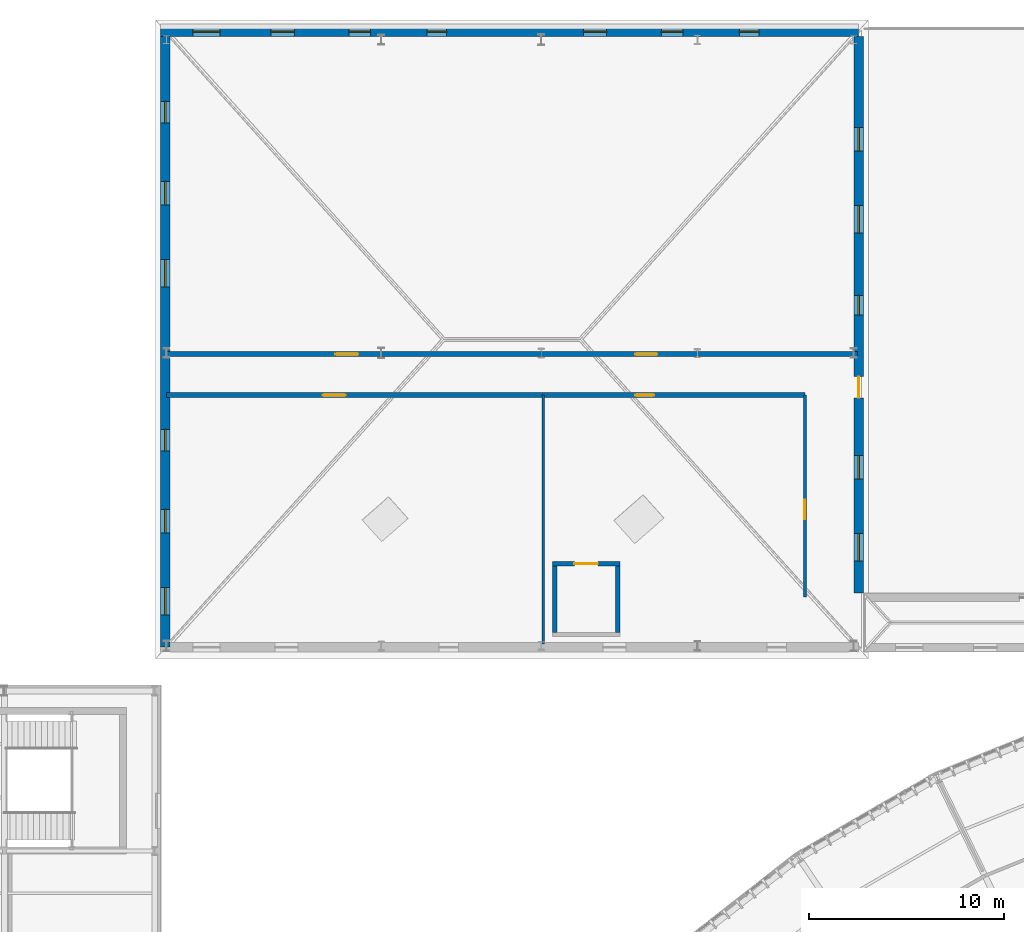
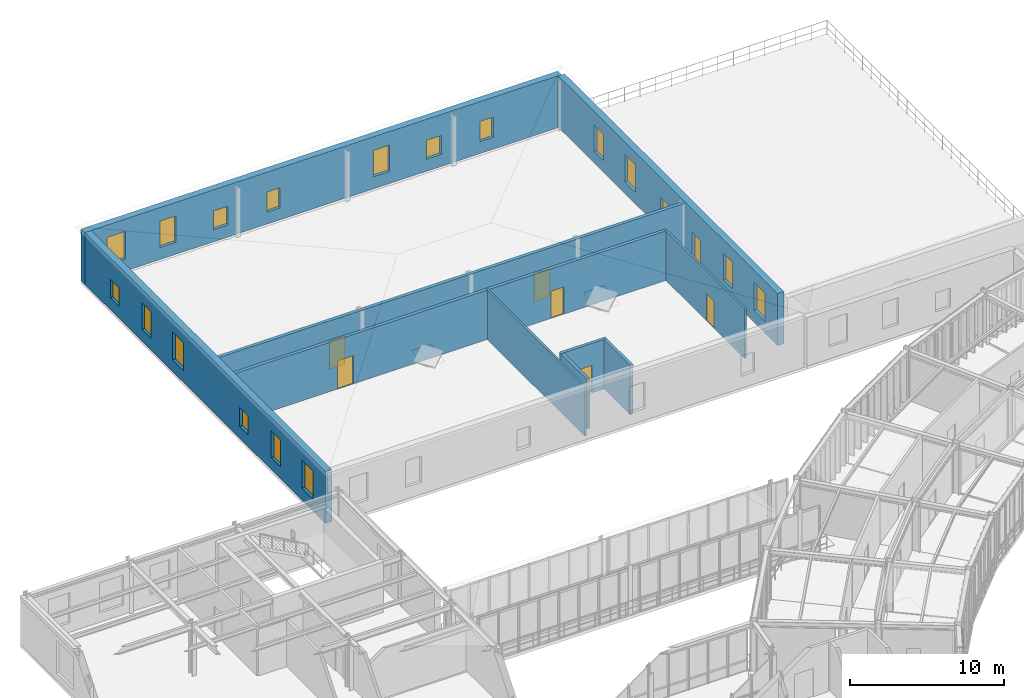
# One storey, part 44 of 57: 18 windows, 10 walls, 7 doors, 25 openings.
"""IFC4 building model written with IfcOpenShell, lengths in metres."""

from ifc_helpers import new_model, si_unit, direction, frame, frame_2d, origin, place, context, subcontext, project, spatial, rectangle, extrude, material, layer, layer_set, type_object, element, fill, save


model = new_model("IFC4")

# Units and contexts
model_context = context("Model", 3, precision=1e-05, world=origin(), true_north=direction((0.0, 1.0)))
body_context = subcontext(model_context, "Body", "Model", "MODEL_VIEW")
ifc_project = project(units=[si_unit("LENGTHUNIT", "METRE"), si_unit("AREAUNIT", "SQUARE_METRE"), si_unit("VOLUMEUNIT", "CUBIC_METRE"), si_unit("PLANEANGLEUNIT", "RADIAN"), si_unit("MASSUNIT", "GRAM", prefix="KILO"), si_unit("THERMODYNAMICTEMPERATUREUNIT", "KELVIN"), si_unit("POWERUNIT", "WATT")], contexts=[model_context])

# Site, building, storey
site_placement = place(None, origin())
site = spatial("IfcSite", under=ifc_project, at=site_placement, CompositionType="ELEMENT")
building_placement = place(site_placement, origin())
building = spatial("IfcBuilding", under=site, at=building_placement, Name="Solvatero Civic Police Headquarters", CompositionType="ELEMENT")
storey_placement = place(building_placement, frame((0.0, 0.0, 9.300048828125)))
storey = spatial("IfcBuildingStorey", under=building, at=storey_placement, Name="L02", CompositionType="ELEMENT", Elevation=9.300048828125)

# Wall, openings, doors
ifc_material_1 = material(Name="Reinforced Masonry", Category="masonry")
ifc_layer_1 = layer(ifc_material_1, 0.239990234375)
ifc_layer_set_1 = layer_set([ifc_layer_1], Name="Reinforced Masonry")
wall_type_1 = type_object("IfcWallType", Name="WL-CELL-240", PredefinedType="PARTITIONING", material=ifc_layer_set_1)
wall_1_placement = place(storey_placement, frame((28.800048828125, 98.35009765625, 0.0), z_axis=(0.0, 0.0, 1.0), x_axis=(1.0, 0.0, 0.0)))
wall_1 = element("IfcWall", 1, at=wall_1_placement, inside=storey, type_object=wall_type_1, Name="Interior Partition WLP-L02-V7-CS", PredefinedType="PARTITIONING", context=body_context, shape_type="SweptSolid", body=[
    extrude(rectangle(XDim=32.699951171875, YDim=0.239990234375, at=frame_2d((16.35009765625, 0.0))), origin(), (0.0, 0.0, 1.0), 3.919921875),
])
opening_1_placement = place(wall_1_placement, frame((8.0, 0.0, 0.0)))
opening_1 = element("IfcOpeningElement", 2, at=opening_1_placement, cuts=wall_1, Name="Opening ID-11", PredefinedType="OPENING", context=body_context, shape_type="SweptSolid", body=[
    extrude(rectangle(XDim=1.179931640625, YDim=2.239990234375, at=frame_2d((0.58984375, 1.1201171875))), frame((0.0, 0.1298828125, 0.0), z_axis=(0.0, -1.0, 0.0), x_axis=(1.0, 0.0, 0.0)), (0.0, 0.0, 1.0), 0.260009765625),
])
opening_2_placement = place(wall_1_placement, frame((24.0, 0.0, 0.0)))
opening_2 = element("IfcOpeningElement", 3, at=opening_2_placement, cuts=wall_1, Name="Opening ID-05", PredefinedType="OPENING", context=body_context, shape_type="SweptSolid", body=[
    extrude(rectangle(XDim=0.97998046875, YDim=2.159912109375, at=frame_2d((0.489990234375, 1.080078125))), frame((0.0, 0.1298828125, 0.0), z_axis=(0.0, -1.0, 0.0), x_axis=(1.0, 0.0, 0.0)), (0.0, 0.0, 1.0), 0.260009765625),
])
ifc_material_2 = material(Name="Powder-Coated Steel", Category="steel")
door_type_1 = type_object("IfcDoorType", Name="DR-COR-118x224", OperationType="NOTDEFINED", PredefinedType="DOOR", material=ifc_material_2)
door_1_placement = place(opening_1_placement, origin())
door_1 = element("IfcDoor", 4, at=door_1_placement, inside=storey, type_object=door_type_1, Name="Interior Door DR-L02-V7-1", OperationType="SINGLE_SWING_RIGHT", OverallHeight=2.239990234375, OverallWidth=1.179931640625, PredefinedType="DOOR", context=body_context, shape_type="SweptSolid", body=[
    extrude(rectangle(XDim=1.179931640625, YDim=2.239990234375, at=frame_2d((0.58984375, 1.1201171875))), frame((0.0, 0.02490234375, 0.0), z_axis=(0.0, -1.0, 0.0), x_axis=(1.0, 0.0, 0.0)), (0.0, 0.0, 1.0), 0.050048828125),
])
fill(opening_1, door_1)
door_type_2 = type_object("IfcDoorType", Name="DR-OFF-098x216", OperationType="NOTDEFINED", PredefinedType="DOOR", material=ifc_material_2)
door_2_placement = place(opening_2_placement, origin())
door_2 = element("IfcDoor", 5, at=door_2_placement, inside=storey, type_object=door_type_2, Name="Interior Door DR-L02-V7-2", OperationType="SINGLE_SWING_LEFT", OverallHeight=2.159912109375, OverallWidth=0.97998046875, PredefinedType="DOOR", context=body_context, shape_type="SweptSolid", body=[
    extrude(rectangle(XDim=0.97998046875, YDim=2.159912109375, at=frame_2d((0.489990234375, 1.080078125))), frame((0.0, 0.02490234375, 0.0), z_axis=(0.0, -1.0, 0.0), x_axis=(1.0, 0.0, 0.0)), (0.0, 0.0, 1.0), 0.050048828125),
])
fill(opening_2, door_2)

wall_2_placement = place(storey_placement, frame((28.800048828125, 100.449951171875, 0.0), z_axis=(0.0, 0.0, 1.0), x_axis=(1.0, 0.0, 0.0)))
wall_2 = element("IfcWall", 6, at=wall_2_placement, inside=storey, type_object=wall_type_1, Name="Interior Partition WLP-L02-V7-COR", PredefinedType="PARTITIONING", context=body_context, shape_type="SweptSolid", body=[
    extrude(rectangle(XDim=35.39990234375, YDim=0.239990234375, at=frame_2d((17.699951171875, 0.0))), origin(), (0.0, 0.0, 1.0), 3.919921875),
])
opening_3_placement = place(wall_2_placement, frame((8.64990234375, 0.0, 0.0)))
opening_3 = element("IfcOpeningElement", 7, at=opening_3_placement, cuts=wall_2, Name="Opening ID-11", PredefinedType="OPENING", context=body_context, shape_type="SweptSolid", body=[
    extrude(rectangle(XDim=1.179931640625, YDim=2.239990234375, at=frame_2d((0.58984375, 1.1201171875))), frame((0.0, 0.1298828125, 0.0), z_axis=(0.0, -1.0, 0.0), x_axis=(1.0, 0.0, 0.0)), (0.0, 0.0, 1.0), 0.260009765625),
])
opening_4_placement = place(wall_2_placement, frame((24.0, 0.0, 0.0)))
opening_4 = element("IfcOpeningElement", 8, at=opening_4_placement, cuts=wall_2, Name="Opening ID-10", PredefinedType="OPENING", context=body_context, shape_type="SweptSolid", body=[
    extrude(rectangle(XDim=1.14990234375, YDim=2.199951171875, at=frame_2d((0.574951171875, 1.10009765625))), frame((0.0, 0.1298828125, 0.0), z_axis=(0.0, -1.0, 0.0), x_axis=(1.0, 0.0, 0.0)), (0.0, 0.0, 1.0), 0.260009765625),
])
door_type_3 = type_object("IfcDoorType", Name="DR-COR-115x220", OperationType="NOTDEFINED", PredefinedType="DOOR", material=ifc_material_2)
door_3_placement = place(opening_4_placement, origin())
door_3 = element("IfcDoor", 9, at=door_3_placement, inside=storey, type_object=door_type_3, Name="Interior Door DR-L02-V7-4", OperationType="SINGLE_SWING_LEFT", OverallHeight=2.199951171875, OverallWidth=1.14990234375, PredefinedType="DOOR", context=body_context, shape_type="SweptSolid", body=[
    extrude(rectangle(XDim=1.14990234375, YDim=2.199951171875, at=frame_2d((0.574951171875, 1.10009765625))), frame((0.0, 0.02490234375, 0.0), z_axis=(0.0, -1.0, 0.0), x_axis=(1.0, 0.0, 0.0)), (0.0, 0.0, 1.0), 0.050048828125),
])
fill(opening_4, door_3)
door_4_placement = place(opening_3_placement, origin())
door_4 = element("IfcDoor", 10, at=door_4_placement, inside=storey, type_object=door_type_1, Name="Interior Door DR-L02-V7-3", OperationType="SINGLE_SWING_RIGHT", OverallHeight=2.239990234375, OverallWidth=1.179931640625, PredefinedType="DOOR", context=body_context, shape_type="SweptSolid", body=[
    extrude(rectangle(XDim=1.179931640625, YDim=2.239990234375, at=frame_2d((0.58984375, 1.1201171875))), frame((0.0, 0.02490234375, 0.0), z_axis=(0.0, -1.0, 0.0), x_axis=(1.0, 0.0, 0.0)), (0.0, 0.0, 1.0), 0.050048828125),
])
fill(opening_3, door_4)

# Wall, openings, windows
ifc_layer_2 = layer(ifc_material_1, 0.47998046875)
ifc_layer_set_2 = layer_set([ifc_layer_2], Name="Reinforced Masonry")
wall_type_2 = type_object("IfcWallType", Name="WL-EXT-CUST-480", PredefinedType="SOLIDWALL", material=ifc_layer_set_2)
wall_3_placement = place(storey_placement, frame((28.5, 116.949951171875, 0.0), z_axis=(0.0, 0.0, 1.0), x_axis=(1.0, 0.0, 0.0)))
wall_3 = element("IfcWall", 11, at=wall_3_placement, inside=storey, type_object=wall_type_2, Name="Exterior Wall WLE-L02-V7-N", PredefinedType="SOLIDWALL", context=body_context, shape_type="SweptSolid", body=[
    extrude(rectangle(XDim=35.760009765625, YDim=0.47998046875, at=frame_2d((17.8798828125, 0.0))), origin(), (0.0, 0.0, 1.0), 4.119873046875),
])
opening_5_placement = place(wall_3_placement, frame((1.64990234375, 0.0, 0.949951171875)))
opening_5 = element("IfcOpeningElement", 12, at=opening_5_placement, cuts=wall_3, Name="Opening W-02", PredefinedType="OPENING", context=body_context, shape_type="SweptSolid", body=[
    extrude(rectangle(XDim=1.39990234375, YDim=2.199951171875, at=frame_2d((0.699951171875, 1.10009765625))), frame((0.0, 0.25, 0.0), z_axis=(0.0, -1.0, 0.0), x_axis=(1.0, 0.0, 0.0)), (0.0, 0.0, 1.0), 0.5),
])
opening_6_placement = place(wall_3_placement, frame((5.64990234375, 0.0, 0.949951171875)))
opening_6 = element("IfcOpeningElement", 13, at=opening_6_placement, cuts=wall_3, Name="Opening W-01", PredefinedType="OPENING", context=body_context, shape_type="SweptSolid", body=[
    extrude(rectangle(XDim=1.199951171875, YDim=2.10009765625, at=frame_2d((0.60009765625, 1.050048828125))), frame((0.0, 0.25, 0.0), z_axis=(0.0, -1.0, 0.0), x_axis=(1.0, 0.0, 0.0)), (0.0, 0.0, 1.0), 0.5),
])
opening_7_placement = place(wall_3_placement, frame((9.64990234375, 0.0, 0.949951171875)))
opening_7 = element("IfcOpeningElement", 14, at=opening_7_placement, cuts=wall_3, Name="Opening W-11", PredefinedType="OPENING", context=body_context, shape_type="SweptSolid", body=[
    extrude(rectangle(XDim=1.10009765625, YDim=1.5, at=frame_2d((0.550048828125, 0.75))), frame((0.0, 0.25, 0.0), z_axis=(0.0, -1.0, 0.0), x_axis=(1.0, 0.0, 0.0)), (0.0, 0.0, 1.0), 0.5),
])
opening_8_placement = place(wall_3_placement, frame((13.64990234375, 0.0, 0.949951171875)))
opening_8 = element("IfcOpeningElement", 15, at=opening_8_placement, cuts=wall_3, Name="Opening W-09", PredefinedType="OPENING", context=body_context, shape_type="SweptSolid", body=[
    extrude(rectangle(XDim=1.0, YDim=1.60009765625, at=frame_2d((0.5, 0.800048828125))), frame((0.0, 0.25, 0.0), z_axis=(0.0, -1.0, 0.0), x_axis=(1.0, 0.0, 0.0)), (0.0, 0.0, 1.0), 0.5),
])
opening_9_placement = place(wall_3_placement, frame((21.64990234375, 0.0, 0.949951171875)))
opening_9 = element("IfcOpeningElement", 16, at=opening_9_placement, cuts=wall_3, Name="Opening W-01", PredefinedType="OPENING", context=body_context, shape_type="SweptSolid", body=[
    extrude(rectangle(XDim=1.199951171875, YDim=2.10009765625, at=frame_2d((0.60009765625, 1.050048828125))), frame((0.0, 0.25, 0.0), z_axis=(0.0, -1.0, 0.0), x_axis=(1.0, 0.0, 0.0)), (0.0, 0.0, 1.0), 0.5),
])
opening_10_placement = place(wall_3_placement, frame((25.64990234375, 0.0, 0.949951171875)))
opening_10 = element("IfcOpeningElement", 17, at=opening_10_placement, cuts=wall_3, Name="Opening W-11", PredefinedType="OPENING", context=body_context, shape_type="SweptSolid", body=[
    extrude(rectangle(XDim=1.10009765625, YDim=1.5, at=frame_2d((0.550048828125, 0.75))), frame((0.0, 0.25, 0.0), z_axis=(0.0, -1.0, 0.0), x_axis=(1.0, 0.0, 0.0)), (0.0, 0.0, 1.0), 0.5),
])
opening_11_placement = place(wall_3_placement, frame((29.64990234375, 0.0, 0.949951171875)))
opening_11 = element("IfcOpeningElement", 18, at=opening_11_placement, cuts=wall_3, Name="Opening W-09", PredefinedType="OPENING", context=body_context, shape_type="SweptSolid", body=[
    extrude(rectangle(XDim=1.0, YDim=1.60009765625, at=frame_2d((0.5, 0.800048828125))), frame((0.0, 0.25, 0.0), z_axis=(0.0, -1.0, 0.0), x_axis=(1.0, 0.0, 0.0)), (0.0, 0.0, 1.0), 0.5),
])
ifc_material_3 = material(Name="Anodized Bronze Aluminium", Category="aluminium")
window_type_1 = type_object("IfcWindowType", Name="WN-CL-100x160", PartitioningType="SINGLE_PANEL", PredefinedType="WINDOW", material=ifc_material_3)
window_1_placement = place(opening_8_placement, origin())
window_1 = element("IfcWindow", 19, at=window_1_placement, inside=storey, type_object=window_type_1, Name="Exterior Window 0217", OverallHeight=1.60009765625, OverallWidth=1.0, PartitioningType="SINGLE_PANEL", PredefinedType="WINDOW", context=body_context, shape_type="SweptSolid", body=[
    extrude(rectangle(XDim=1.0, YDim=1.60009765625, at=frame_2d((0.5, 0.800048828125))), frame((0.0, 0.030029296875, 0.0), z_axis=(0.0, -1.0, 0.0), x_axis=(1.0, 0.0, 0.0)), (0.0, 0.0, 1.0), 0.06005859375),
])
fill(opening_8, window_1)
window_2_placement = place(opening_11_placement, origin())
window_2 = element("IfcWindow", 20, at=window_2_placement, inside=storey, type_object=window_type_1, Name="Exterior Window 0220", OverallHeight=1.60009765625, OverallWidth=1.0, PartitioningType="SINGLE_PANEL", PredefinedType="WINDOW", context=body_context, shape_type="SweptSolid", body=[
    extrude(rectangle(XDim=1.0, YDim=1.60009765625, at=frame_2d((0.5, 0.800048828125))), frame((0.0, 0.030029296875, 0.0), z_axis=(0.0, -1.0, 0.0), x_axis=(1.0, 0.0, 0.0)), (0.0, 0.0, 1.0), 0.06005859375),
])
fill(opening_11, window_2)
ifc_material_4 = material(Name="Ballistic Steel Frame Glass", Category="steel")
window_type_2 = type_object("IfcWindowType", Name="WN-CL-110x150", PartitioningType="SINGLE_PANEL", PredefinedType="WINDOW", material=ifc_material_4)
window_3_placement = place(opening_7_placement, origin())
window_3 = element("IfcWindow", 21, at=window_3_placement, inside=storey, type_object=window_type_2, Name="Exterior Window 0216", OverallHeight=1.5, OverallWidth=1.10009765625, PartitioningType="SINGLE_PANEL", PredefinedType="WINDOW", context=body_context, shape_type="SweptSolid", body=[
    extrude(rectangle(XDim=1.10009765625, YDim=1.5, at=frame_2d((0.550048828125, 0.75))), frame((0.0, 0.030029296875, 0.0), z_axis=(0.0, -1.0, 0.0), x_axis=(1.0, 0.0, 0.0)), (0.0, 0.0, 1.0), 0.06005859375),
])
fill(opening_7, window_3)
window_4_placement = place(opening_10_placement, origin())
window_4 = element("IfcWindow", 22, at=window_4_placement, inside=storey, type_object=window_type_2, Name="Exterior Window 0219", OverallHeight=1.5, OverallWidth=1.10009765625, PartitioningType="SINGLE_PANEL", PredefinedType="WINDOW", context=body_context, shape_type="SweptSolid", body=[
    extrude(rectangle(XDim=1.10009765625, YDim=1.5, at=frame_2d((0.550048828125, 0.75))), frame((0.0, 0.030029296875, 0.0), z_axis=(0.0, -1.0, 0.0), x_axis=(1.0, 0.0, 0.0)), (0.0, 0.0, 1.0), 0.06005859375),
])
fill(opening_10, window_4)
window_type_3 = type_object("IfcWindowType", Name="WN-CL-120x210", PartitioningType="SINGLE_PANEL", PredefinedType="WINDOW", material=ifc_material_3)
window_5_placement = place(opening_6_placement, origin())
window_5 = element("IfcWindow", 23, at=window_5_placement, inside=storey, type_object=window_type_3, Name="Exterior Window 0215", OverallHeight=2.10009765625, OverallWidth=1.199951171875, PartitioningType="SINGLE_PANEL", PredefinedType="WINDOW", context=body_context, shape_type="SweptSolid", body=[
    extrude(rectangle(XDim=1.199951171875, YDim=2.10009765625, at=frame_2d((0.60009765625, 1.050048828125))), frame((0.0, 0.030029296875, 0.0), z_axis=(0.0, -1.0, 0.0), x_axis=(1.0, 0.0, 0.0)), (0.0, 0.0, 1.0), 0.06005859375),
])
fill(opening_6, window_5)
window_6_placement = place(opening_9_placement, origin())
window_6 = element("IfcWindow", 24, at=window_6_placement, inside=storey, type_object=window_type_3, Name="Exterior Window 0218", OverallHeight=2.10009765625, OverallWidth=1.199951171875, PartitioningType="SINGLE_PANEL", PredefinedType="WINDOW", context=body_context, shape_type="SweptSolid", body=[
    extrude(rectangle(XDim=1.199951171875, YDim=2.10009765625, at=frame_2d((0.60009765625, 1.050048828125))), frame((0.0, 0.030029296875, 0.0), z_axis=(0.0, -1.0, 0.0), x_axis=(1.0, 0.0, 0.0)), (0.0, 0.0, 1.0), 0.06005859375),
])
fill(opening_9, window_6)
window_type_4 = type_object("IfcWindowType", Name="WN-CL-140x220", PartitioningType="SINGLE_PANEL", PredefinedType="WINDOW", material=ifc_material_3)
window_7_placement = place(opening_5_placement, origin())
window_7 = element("IfcWindow", 25, at=window_7_placement, inside=storey, type_object=window_type_4, Name="Exterior Window 0214", OverallHeight=2.199951171875, OverallWidth=1.39990234375, PartitioningType="SINGLE_PANEL", PredefinedType="WINDOW", context=body_context, shape_type="SweptSolid", body=[
    extrude(rectangle(XDim=1.39990234375, YDim=2.199951171875, at=frame_2d((0.699951171875, 1.10009765625))), frame((0.0, 0.030029296875, 0.0), z_axis=(0.0, -1.0, 0.0), x_axis=(1.0, 0.0, 0.0)), (0.0, 0.0, 1.0), 0.06005859375),
])
fill(opening_5, window_7)

# Wall, openings, door, windows
wall_4_placement = place(storey_placement, frame((64.260009765625, 88.199951171875, 0.0), z_axis=(0.0, 0.0, 1.0), x_axis=(0.0, 1.0, 0.0)))
wall_4 = element("IfcWall", 26, at=wall_4_placement, inside=storey, type_object=wall_type_2, Name="Exterior Wall WLE-L02-V7-E", PredefinedType="SOLIDWALL", context=body_context, shape_type="SweptSolid", body=[
    extrude(rectangle(XDim=28.510009765625, YDim=0.47998046875, at=frame_2d((14.2548828125, 0.0))), origin(), (0.0, 0.0, 1.0), 4.119873046875),
])
opening_12_placement = place(wall_4_placement, frame((11.10009765625, 0.0, 0.0), z_axis=(0.0, 0.0, 1.0), x_axis=(-1.0, 0.0, 0.0)))
opening_12 = element("IfcOpeningElement", 27, at=opening_12_placement, cuts=wall_4, Name="Opening ED-02", PredefinedType="OPENING", context=body_context, shape_type="SweptSolid", body=[
    extrude(rectangle(XDim=1.10009765625, YDim=2.25, at=frame_2d((0.550048828125, 1.125))), frame((0.0, 0.25, 0.0), z_axis=(0.0, -1.0, 0.0), x_axis=(1.0, 0.0, 0.0)), (0.0, 0.0, 1.0), 0.5),
])
opening_13_placement = place(wall_4_placement, frame((1.64990234375, 0.0, 0.949951171875)))
opening_13 = element("IfcOpeningElement", 28, at=opening_13_placement, cuts=wall_4, Name="Opening W-02", PredefinedType="OPENING", context=body_context, shape_type="SweptSolid", body=[
    extrude(rectangle(XDim=1.39990234375, YDim=2.199951171875, at=frame_2d((0.699951171875, 1.10009765625))), frame((0.0, 0.25, 0.0), z_axis=(0.0, -1.0, 0.0), x_axis=(1.0, 0.0, 0.0)), (0.0, 0.0, 1.0), 0.5),
])
opening_14_placement = place(wall_4_placement, frame((5.85009765625, 0.0, 0.949951171875)))
opening_14 = element("IfcOpeningElement", 29, at=opening_14_placement, cuts=wall_4, Name="Opening W-01", PredefinedType="OPENING", context=body_context, shape_type="SweptSolid", body=[
    extrude(rectangle(XDim=1.199951171875, YDim=2.10009765625, at=frame_2d((0.60009765625, 1.050048828125))), frame((0.0, 0.25, 0.0), z_axis=(0.0, -1.0, 0.0), x_axis=(1.0, 0.0, 0.0)), (0.0, 0.0, 1.0), 0.5),
])
opening_15_placement = place(wall_4_placement, frame((14.25, 0.0, 0.949951171875)))
opening_15 = element("IfcOpeningElement", 30, at=opening_15_placement, cuts=wall_4, Name="Opening W-09", PredefinedType="OPENING", context=body_context, shape_type="SweptSolid", body=[
    extrude(rectangle(XDim=1.0, YDim=1.60009765625, at=frame_2d((0.5, 0.800048828125))), frame((0.0, 0.25, 0.0), z_axis=(0.0, -1.0, 0.0), x_axis=(1.0, 0.0, 0.0)), (0.0, 0.0, 1.0), 0.5),
])
opening_16_placement = place(wall_4_placement, frame((18.449951171875, 0.0, 0.949951171875)))
opening_16 = element("IfcOpeningElement", 31, at=opening_16_placement, cuts=wall_4, Name="Opening W-02", PredefinedType="OPENING", context=body_context, shape_type="SweptSolid", body=[
    extrude(rectangle(XDim=1.39990234375, YDim=2.199951171875, at=frame_2d((0.699951171875, 1.10009765625))), frame((0.0, 0.25, 0.0), z_axis=(0.0, -1.0, 0.0), x_axis=(1.0, 0.0, 0.0)), (0.0, 0.0, 1.0), 0.5),
])
opening_17_placement = place(wall_4_placement, frame((22.64990234375, 0.0, 0.949951171875)))
opening_17 = element("IfcOpeningElement", 32, at=opening_17_placement, cuts=wall_4, Name="Opening W-01", PredefinedType="OPENING", context=body_context, shape_type="SweptSolid", body=[
    extrude(rectangle(XDim=1.199951171875, YDim=2.10009765625, at=frame_2d((0.60009765625, 1.050048828125))), frame((0.0, 0.25, 0.0), z_axis=(0.0, -1.0, 0.0), x_axis=(1.0, 0.0, 0.0)), (0.0, 0.0, 1.0), 0.5),
])
ifc_material_5 = material(Name="Anodized Bronze Aluminium and Laminated Glass", Category="aluminium")
door_type_4 = type_object("IfcDoorType", Name="DR-EXT-110x225", OperationType="NOTDEFINED", PredefinedType="DOOR", material=ifc_material_5)
door_5_placement = place(opening_12_placement, origin())
door_5 = element("IfcDoor", 33, at=door_5_placement, inside=storey, type_object=door_type_4, Name="Exterior Door DR-L02-TRG7-1", OperationType="SINGLE_SWING_LEFT", OverallHeight=2.25, OverallWidth=1.10009765625, PredefinedType="DOOR", context=body_context, shape_type="SweptSolid", body=[
    extrude(rectangle(XDim=1.10009765625, YDim=2.25, at=frame_2d((0.550048828125, 1.125))), frame((0.0, 0.02490234375, 0.0), z_axis=(0.0, -1.0, 0.0), x_axis=(1.0, 0.0, 0.0)), (0.0, 0.0, 1.0), 0.050048828125),
])
fill(opening_12, door_5)
window_8_placement = place(opening_15_placement, origin())
window_8 = element("IfcWindow", 34, at=window_8_placement, inside=storey, type_object=window_type_1, Name="Exterior Window 0228", OverallHeight=1.60009765625, OverallWidth=1.0, PartitioningType="SINGLE_PANEL", PredefinedType="WINDOW", context=body_context, shape_type="SweptSolid", body=[
    extrude(rectangle(XDim=1.0, YDim=1.60009765625, at=frame_2d((0.5, 0.800048828125))), frame((0.0, 0.030029296875, 0.0), z_axis=(0.0, -1.0, 0.0), x_axis=(1.0, 0.0, 0.0)), (0.0, 0.0, 1.0), 0.06005859375),
])
fill(opening_15, window_8)
window_9_placement = place(opening_14_placement, origin())
window_9 = element("IfcWindow", 35, at=window_9_placement, inside=storey, type_object=window_type_3, Name="Exterior Window 0227", OverallHeight=2.10009765625, OverallWidth=1.199951171875, PartitioningType="SINGLE_PANEL", PredefinedType="WINDOW", context=body_context, shape_type="SweptSolid", body=[
    extrude(rectangle(XDim=1.199951171875, YDim=2.10009765625, at=frame_2d((0.60009765625, 1.050048828125))), frame((0.0, 0.030029296875, 0.0), z_axis=(0.0, -1.0, 0.0), x_axis=(1.0, 0.0, 0.0)), (0.0, 0.0, 1.0), 0.06005859375),
])
fill(opening_14, window_9)
window_10_placement = place(opening_17_placement, origin())
window_10 = element("IfcWindow", 36, at=window_10_placement, inside=storey, type_object=window_type_3, Name="Exterior Window 0230", OverallHeight=2.10009765625, OverallWidth=1.199951171875, PartitioningType="SINGLE_PANEL", PredefinedType="WINDOW", context=body_context, shape_type="SweptSolid", body=[
    extrude(rectangle(XDim=1.199951171875, YDim=2.10009765625, at=frame_2d((0.60009765625, 1.050048828125))), frame((0.0, 0.030029296875, 0.0), z_axis=(0.0, -1.0, 0.0), x_axis=(1.0, 0.0, 0.0)), (0.0, 0.0, 1.0), 0.06005859375),
])
fill(opening_17, window_10)
window_11_placement = place(opening_13_placement, origin())
window_11 = element("IfcWindow", 37, at=window_11_placement, inside=storey, type_object=window_type_4, Name="Exterior Window 0226", OverallHeight=2.199951171875, OverallWidth=1.39990234375, PartitioningType="SINGLE_PANEL", PredefinedType="WINDOW", context=body_context, shape_type="SweptSolid", body=[
    extrude(rectangle(XDim=1.39990234375, YDim=2.199951171875, at=frame_2d((0.699951171875, 1.10009765625))), frame((0.0, 0.030029296875, 0.0), z_axis=(0.0, -1.0, 0.0), x_axis=(1.0, 0.0, 0.0)), (0.0, 0.0, 1.0), 0.06005859375),
])
fill(opening_13, window_11)
window_12_placement = place(opening_16_placement, origin())
window_12 = element("IfcWindow", 38, at=window_12_placement, inside=storey, type_object=window_type_4, Name="Exterior Window 0229", OverallHeight=2.199951171875, OverallWidth=1.39990234375, PartitioningType="SINGLE_PANEL", PredefinedType="WINDOW", context=body_context, shape_type="SweptSolid", body=[
    extrude(rectangle(XDim=1.39990234375, YDim=2.199951171875, at=frame_2d((0.699951171875, 1.10009765625))), frame((0.0, 0.030029296875, 0.0), z_axis=(0.0, -1.0, 0.0), x_axis=(1.0, 0.0, 0.0)), (0.0, 0.0, 1.0), 0.06005859375),
])
fill(opening_16, window_12)

# Wall, openings, windows
wall_5_placement = place(storey_placement, frame((28.739990234375, 85.43994140625, 0.0), z_axis=(0.0, 0.0, 1.0), x_axis=(0.0, 1.0, 0.0)))
wall_5 = element("IfcWall", 39, at=wall_5_placement, inside=storey, type_object=wall_type_2, Name="Exterior Wall WLE-L02-V7-W", PredefinedType="SOLIDWALL", context=body_context, shape_type="SweptSolid", body=[
    extrude(rectangle(XDim=31.27001953125, YDim=0.47998046875, at=frame_2d((15.635009765625, 0.0))), origin(), (0.0, 0.0, 1.0), 4.119873046875),
])
opening_18_placement = place(wall_5_placement, frame((1.64990234375, 0.0, 0.949951171875)))
opening_18 = element("IfcOpeningElement", 40, at=opening_18_placement, cuts=wall_5, Name="Opening W-02", PredefinedType="OPENING", context=body_context, shape_type="SweptSolid", body=[
    extrude(rectangle(XDim=1.39990234375, YDim=2.199951171875, at=frame_2d((0.699951171875, 1.10009765625))), frame((0.0, 0.25, 0.0), z_axis=(0.0, -1.0, 0.0), x_axis=(1.0, 0.0, 0.0)), (0.0, 0.0, 1.0), 0.5),
])
opening_19_placement = place(wall_5_placement, frame((5.85009765625, 0.0, 0.949951171875)))
opening_19 = element("IfcOpeningElement", 41, at=opening_19_placement, cuts=wall_5, Name="Opening W-01", PredefinedType="OPENING", context=body_context, shape_type="SweptSolid", body=[
    extrude(rectangle(XDim=1.199951171875, YDim=2.10009765625, at=frame_2d((0.60009765625, 1.050048828125))), frame((0.0, 0.25, 0.0), z_axis=(0.0, -1.0, 0.0), x_axis=(1.0, 0.0, 0.0)), (0.0, 0.0, 1.0), 0.5),
])
opening_20_placement = place(wall_5_placement, frame((10.050048828125, 0.0, 0.949951171875)))
opening_20 = element("IfcOpeningElement", 42, at=opening_20_placement, cuts=wall_5, Name="Opening W-11", PredefinedType="OPENING", context=body_context, shape_type="SweptSolid", body=[
    extrude(rectangle(XDim=1.10009765625, YDim=1.5, at=frame_2d((0.550048828125, 0.75))), frame((0.0, 0.25, 0.0), z_axis=(0.0, -1.0, 0.0), x_axis=(1.0, 0.0, 0.0)), (0.0, 0.0, 1.0), 0.5),
])
opening_21_placement = place(wall_5_placement, frame((18.449951171875, 0.0, 0.949951171875)))
opening_21 = element("IfcOpeningElement", 43, at=opening_21_placement, cuts=wall_5, Name="Opening W-02", PredefinedType="OPENING", context=body_context, shape_type="SweptSolid", body=[
    extrude(rectangle(XDim=1.39990234375, YDim=2.199951171875, at=frame_2d((0.699951171875, 1.10009765625))), frame((0.0, 0.25, 0.0), z_axis=(0.0, -1.0, 0.0), x_axis=(1.0, 0.0, 0.0)), (0.0, 0.0, 1.0), 0.5),
])
opening_22_placement = place(wall_5_placement, frame((22.64990234375, 0.0, 0.949951171875)))
opening_22 = element("IfcOpeningElement", 44, at=opening_22_placement, cuts=wall_5, Name="Opening W-01", PredefinedType="OPENING", context=body_context, shape_type="SweptSolid", body=[
    extrude(rectangle(XDim=1.199951171875, YDim=2.10009765625, at=frame_2d((0.60009765625, 1.050048828125))), frame((0.0, 0.25, 0.0), z_axis=(0.0, -1.0, 0.0), x_axis=(1.0, 0.0, 0.0)), (0.0, 0.0, 1.0), 0.5),
])
opening_23_placement = place(wall_5_placement, frame((26.85009765625, 0.0, 0.949951171875)))
opening_23 = element("IfcOpeningElement", 45, at=opening_23_placement, cuts=wall_5, Name="Opening W-11", PredefinedType="OPENING", context=body_context, shape_type="SweptSolid", body=[
    extrude(rectangle(XDim=1.10009765625, YDim=1.5, at=frame_2d((0.550048828125, 0.75))), frame((0.0, 0.25, 0.0), z_axis=(0.0, -1.0, 0.0), x_axis=(1.0, 0.0, 0.0)), (0.0, 0.0, 1.0), 0.5),
])
window_13_placement = place(opening_20_placement, origin())
window_13 = element("IfcWindow", 46, at=window_13_placement, inside=storey, type_object=window_type_2, Name="Exterior Window 0207", OverallHeight=1.5, OverallWidth=1.10009765625, PartitioningType="SINGLE_PANEL", PredefinedType="WINDOW", context=body_context, shape_type="SweptSolid", body=[
    extrude(rectangle(XDim=1.10009765625, YDim=1.5, at=frame_2d((0.550048828125, 0.75))), frame((0.0, 0.030029296875, 0.0), z_axis=(0.0, -1.0, 0.0), x_axis=(1.0, 0.0, 0.0)), (0.0, 0.0, 1.0), 0.06005859375),
])
fill(opening_20, window_13)
window_14_placement = place(opening_23_placement, origin())
window_14 = element("IfcWindow", 47, at=window_14_placement, inside=storey, type_object=window_type_2, Name="Exterior Window 0210", OverallHeight=1.5, OverallWidth=1.10009765625, PartitioningType="SINGLE_PANEL", PredefinedType="WINDOW", context=body_context, shape_type="SweptSolid", body=[
    extrude(rectangle(XDim=1.10009765625, YDim=1.5, at=frame_2d((0.550048828125, 0.75))), frame((0.0, 0.030029296875, 0.0), z_axis=(0.0, -1.0, 0.0), x_axis=(1.0, 0.0, 0.0)), (0.0, 0.0, 1.0), 0.06005859375),
])
fill(opening_23, window_14)
window_15_placement = place(opening_19_placement, origin())
window_15 = element("IfcWindow", 48, at=window_15_placement, inside=storey, type_object=window_type_3, Name="Exterior Window 0206", OverallHeight=2.10009765625, OverallWidth=1.199951171875, PartitioningType="SINGLE_PANEL", PredefinedType="WINDOW", context=body_context, shape_type="SweptSolid", body=[
    extrude(rectangle(XDim=1.199951171875, YDim=2.10009765625, at=frame_2d((0.60009765625, 1.050048828125))), frame((0.0, 0.030029296875, 0.0), z_axis=(0.0, -1.0, 0.0), x_axis=(1.0, 0.0, 0.0)), (0.0, 0.0, 1.0), 0.06005859375),
])
fill(opening_19, window_15)
window_16_placement = place(opening_22_placement, origin())
window_16 = element("IfcWindow", 49, at=window_16_placement, inside=storey, type_object=window_type_3, Name="Exterior Window 0209", OverallHeight=2.10009765625, OverallWidth=1.199951171875, PartitioningType="SINGLE_PANEL", PredefinedType="WINDOW", context=body_context, shape_type="SweptSolid", body=[
    extrude(rectangle(XDim=1.199951171875, YDim=2.10009765625, at=frame_2d((0.60009765625, 1.050048828125))), frame((0.0, 0.030029296875, 0.0), z_axis=(0.0, -1.0, 0.0), x_axis=(1.0, 0.0, 0.0)), (0.0, 0.0, 1.0), 0.06005859375),
])
fill(opening_22, window_16)
window_17_placement = place(opening_18_placement, origin())
window_17 = element("IfcWindow", 50, at=window_17_placement, inside=storey, type_object=window_type_4, Name="Exterior Window 0205", OverallHeight=2.199951171875, OverallWidth=1.39990234375, PartitioningType="SINGLE_PANEL", PredefinedType="WINDOW", context=body_context, shape_type="SweptSolid", body=[
    extrude(rectangle(XDim=1.39990234375, YDim=2.199951171875, at=frame_2d((0.699951171875, 1.10009765625))), frame((0.0, 0.030029296875, 0.0), z_axis=(0.0, -1.0, 0.0), x_axis=(1.0, 0.0, 0.0)), (0.0, 0.0, 1.0), 0.06005859375),
])
fill(opening_18, window_17)
window_18_placement = place(opening_21_placement, origin())
window_18 = element("IfcWindow", 51, at=window_18_placement, inside=storey, type_object=window_type_4, Name="Exterior Window 0208", OverallHeight=2.199951171875, OverallWidth=1.39990234375, PartitioningType="SINGLE_PANEL", PredefinedType="WINDOW", context=body_context, shape_type="SweptSolid", body=[
    extrude(rectangle(XDim=1.39990234375, YDim=2.199951171875, at=frame_2d((0.699951171875, 1.10009765625))), frame((0.0, 0.030029296875, 0.0), z_axis=(0.0, -1.0, 0.0), x_axis=(1.0, 0.0, 0.0)), (0.0, 0.0, 1.0), 0.06005859375),
])
fill(opening_21, window_18)

# Wall, opening, door
ifc_material_6 = material(Name="Gypsum Acoustic Stud", Category="gypsum")
ifc_layer_3 = layer(ifc_material_6, 0.14990234375)
ifc_layer_set_3 = layer_set([ifc_layer_3], Name="Gypsum Acoustic Stud")
wall_type_3 = type_object("IfcWallType", Name="WL-PTN-150", PredefinedType="PARTITIONING", material=ifc_layer_set_3)
wall_6_placement = place(storey_placement, frame((61.5, 88.0, 0.0), z_axis=(0.0, 0.0, 1.0), x_axis=(0.0, 1.0, 0.0)))
wall_6 = element("IfcWall", 52, at=wall_6_placement, inside=storey, type_object=wall_type_3, Name="Interior Partition WLP-L02-V7-SPUR", PredefinedType="PARTITIONING", context=body_context, shape_type="SweptSolid", body=[
    extrude(rectangle(XDim=10.35009765625, YDim=0.14990234375, at=frame_2d((5.175048828125, 0.0))), origin(), (0.0, 0.0, 1.0), 3.919921875),
])
opening_24_placement = place(wall_6_placement, frame((4.0, 0.0, 0.0)))
opening_24 = element("IfcOpeningElement", 53, at=opening_24_placement, cuts=wall_6, Name="Opening ID-05", PredefinedType="OPENING", context=body_context, shape_type="SweptSolid", body=[
    extrude(rectangle(XDim=0.97998046875, YDim=2.159912109375, at=frame_2d((0.489990234375, 1.080078125))), frame((0.0, 0.0849609375, 0.0), z_axis=(0.0, -1.0, 0.0), x_axis=(1.0, 0.0, 0.0)), (0.0, 0.0, 1.0), 0.169921875),
])
door_6_placement = place(opening_24_placement, origin())
door_6 = element("IfcDoor", 54, at=door_6_placement, inside=storey, type_object=door_type_2, Name="Interior Door DR-L02-LGLC2", OperationType="SINGLE_SWING_RIGHT", OverallHeight=2.159912109375, OverallWidth=0.97998046875, PredefinedType="DOOR", context=body_context, shape_type="SweptSolid", body=[
    extrude(rectangle(XDim=0.97998046875, YDim=2.159912109375, at=frame_2d((0.489990234375, 1.080078125))), frame((0.0, 0.02490234375, 0.0), z_axis=(0.0, -1.0, 0.0), x_axis=(1.0, 0.0, 0.0)), (0.0, 0.0, 1.0), 0.050048828125),
])
fill(opening_24, door_6)

# Wall
wall_7_placement = place(storey_placement, frame((48.10009765625, 85.60009765625, 0.0), z_axis=(0.0, 0.0, 1.0), x_axis=(0.0, 1.0, 0.0)))
element("IfcWall", 55, at=wall_7_placement, inside=storey, type_object=wall_type_3, Name="Interior Partition WLP-L02-V7-M", PredefinedType="PARTITIONING", context=body_context, shape_type="SweptSolid", body=[
    extrude(rectangle(XDim=12.75, YDim=0.14990234375, at=frame_2d((6.375, 0.0))), origin(), (0.0, 0.0, 1.0), 3.919921875),
])

# Wall, opening, door
ifc_material_7 = material(Name="Concrete C35/45", Category="concrete")
ifc_layer_4 = layer(ifc_material_7, 0.219970703125)
ifc_layer_set_4 = layer_set([ifc_layer_4], Name="Concrete C35/45")
wall_type_4 = type_object("IfcWallType", Name="WL-SHF-220", PredefinedType="PARTITIONING", material=ifc_layer_set_4)
wall_8_placement = place(storey_placement, frame((48.580078125, 89.7099609375, 0.0), z_axis=(0.0, 0.0, 1.0), x_axis=(1.0, 0.0, 0.0)))
wall_8 = element("IfcWall", 56, at=wall_8_placement, inside=storey, type_object=wall_type_4, Name="Lift Shaft Wall WLS-LC-01-L02-N", PredefinedType="PARTITIONING", context=body_context, shape_type="SweptSolid", body=[
    extrude(rectangle(XDim=3.43994140625, YDim=0.219970703125, at=frame_2d((1.719970703125, 0.0))), origin(), (0.0, 0.0, 1.0), 3.919921875),
])
opening_25_placement = place(wall_8_placement, frame((1.1201171875, 0.0, 0.0)))
opening_25 = element("IfcOpeningElement", 57, at=opening_25_placement, cuts=wall_8, Name="Opening LD-03", PredefinedType="OPENING", context=body_context, shape_type="SweptSolid", body=[
    extrude(rectangle(XDim=1.199951171875, YDim=2.179931640625, at=frame_2d((0.60009765625, 1.08984375))), frame((0.0, 0.119873046875, 0.0), z_axis=(0.0, -1.0, 0.0), x_axis=(1.0, 0.0, 0.0)), (0.0, 0.0, 1.0), 0.239990234375),
])
ifc_material_8 = material(Name="Stainless Steel Grade 316", Category="steel")
door_type_5 = type_object("IfcDoorType", Name="DR-LFT-120x218", OperationType="DOUBLE_DOOR_SLIDING", PredefinedType="DOOR", material=ifc_material_8)
door_7_placement = place(opening_25_placement, origin())
door_7 = element("IfcDoor", 58, at=door_7_placement, inside=storey, type_object=door_type_5, Name="Interior Door DR-LFT-LC-01-L02", OperationType="DOUBLE_DOOR_SLIDING", OverallHeight=2.179931640625, OverallWidth=1.199951171875, PredefinedType="DOOR", context=body_context, shape_type="SweptSolid", body=[
    extrude(rectangle(XDim=1.199951171875, YDim=2.179931640625, at=frame_2d((0.60009765625, 1.08984375))), frame((0.0, 0.02490234375, 0.0), z_axis=(0.0, -1.0, 0.0), x_axis=(1.0, 0.0, 0.0)), (0.0, 0.0, 1.0), 0.050048828125),
])
fill(opening_25, door_7)

# Walls
for number, where, z_axis, x_axis, name in (
    (59, (48.68994140625, 86.199951171875, 0.0), (0.0, 0.0, 1.0), (0.0, 1.0, 0.0), "Lift Shaft Wall WLS-LC-01-L02-W"),
    (60, (51.909912109375, 86.199951171875, 0.0), (0.0, 0.0, 1.0), (0.0, 1.0, 0.0), "Lift Shaft Wall WLS-LC-01-L02-E"),
):
    element("IfcWall", number, at=place(storey_placement, frame(where, z_axis=z_axis, x_axis=x_axis)), inside=storey, type_object=wall_type_4, Name=name, PredefinedType="PARTITIONING", context=body_context, shape_type="SweptSolid", body=[
        extrude(rectangle(XDim=3.400146484375, YDim=0.219970703125, at=frame_2d((1.7001953125, 0.0))), origin(), (0.0, 0.0, 1.0), 3.919921875),
    ])

save(model, "model.ifc")
